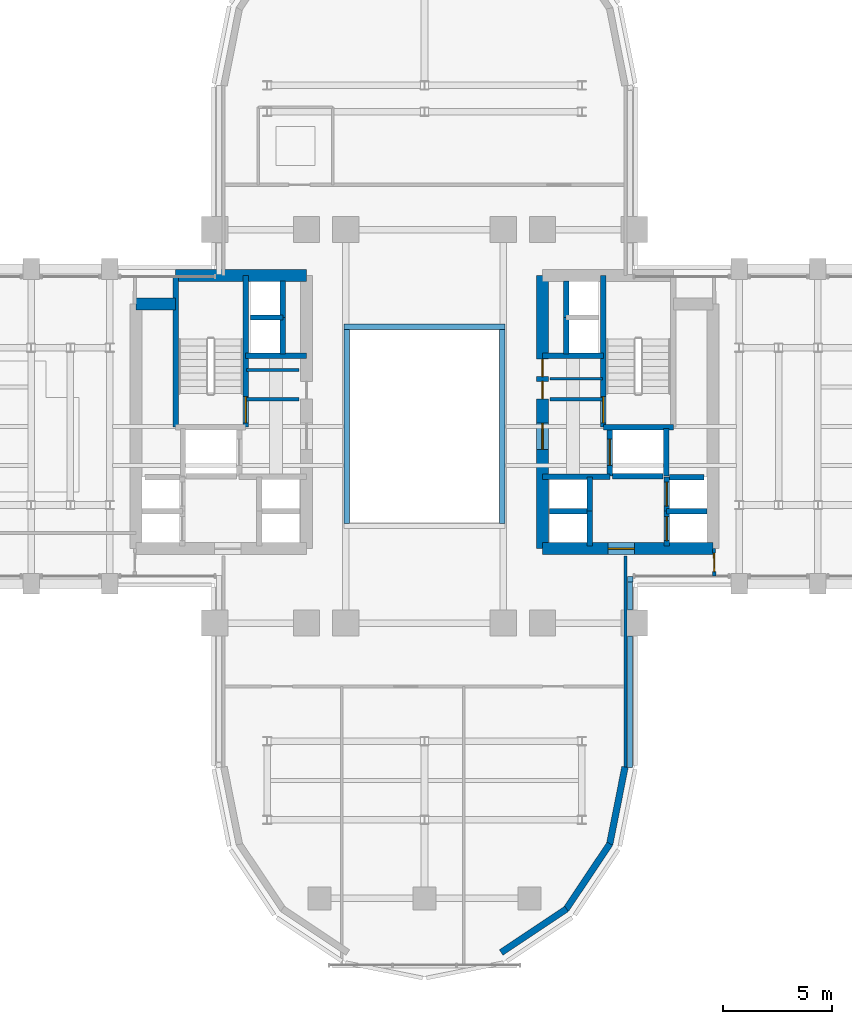
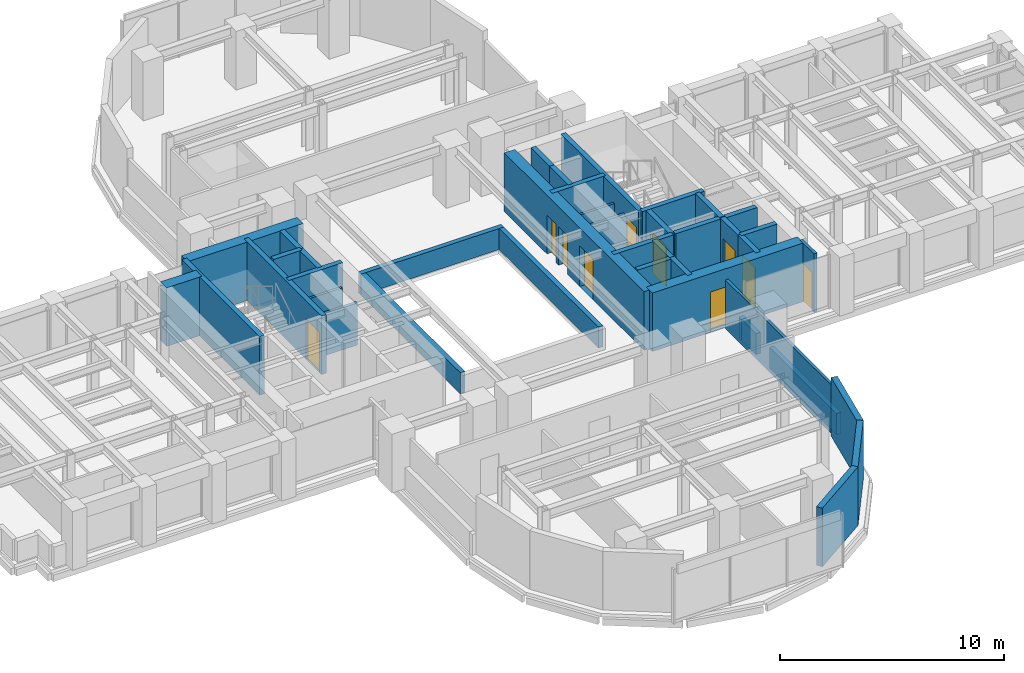
# One storey, part 11 of 16: 41 walls, 10 doors, 10 openings.
"""IFC4 building model written with IfcOpenShell, lengths in metres."""

from ifc_helpers import new_model, si_unit, direction, frame, frame_2d, origin, place, context, subcontext, project, spatial, rectangle, extrude, source, transform, mapped, material, layer, layer_set, type_object, element, fill, save


model = new_model("IFC4")

# Units and contexts
model_context = context("Model", 3, precision=1e-05, world=origin(), true_north=direction((0.0, 1.0)))
body_context = subcontext(model_context, "Body", "Model", "MODEL_VIEW")
ifc_project = project(units=[si_unit("LENGTHUNIT", "METRE"), si_unit("AREAUNIT", "SQUARE_METRE"), si_unit("VOLUMEUNIT", "CUBIC_METRE"), si_unit("PLANEANGLEUNIT", "RADIAN"), si_unit("MASSUNIT", "GRAM", prefix="KILO")], contexts=[model_context])

# Site, building, storey
site_placement = place(None, origin())
site = spatial("IfcSite", under=ifc_project, at=site_placement, CompositionType="ELEMENT")
building_placement = place(site_placement, origin())
building = spatial("IfcBuilding", under=site, at=building_placement, Name="Keilestroom Media Tower", CompositionType="ELEMENT")
storey_placement = place(building_placement, frame((0.0, 0.0, 51.0)))
storey = spatial("IfcBuildingStorey", under=building, at=storey_placement, Name="L12", CompositionType="ELEMENT", Elevation=51.0)

# Walls
ifc_material_1 = material(Name="Precast concrete C40/50", Category="concrete")
ifc_layer_1 = layer(ifc_material_1, 0.300048828125)
ifc_layer_set_1 = layer_set([ifc_layer_1], Name="Precast concrete C40/50")
wall_type_1 = type_object("IfcWallType", Name="Exterior-Masonry-Spandrel-Wall-300", PredefinedType="SOLIDWALL", material=ifc_layer_set_1)
wall_1_placement = place(storey_placement, frame((3.510009765625, -24.073486328125, 0.0), z_axis=(0.0, 0.0, 1.0), x_axis=(0.8314749531, 0.555562239868, 0.0)))
element("IfcWall", 1, at=wall_1_placement, inside=storey, type_object=wall_type_1, Name="L12 Lobe Facet Precast Frame Wall 10", PredefinedType="SOLIDWALL", context=body_context, shape_type="SweptSolid", body=[
    extrude(rectangle(XDim=3.59326171875, YDim=0.300048828125, at=frame_2d((1.796630859375, 0.0))), origin(), (0.0, 0.0, 1.0), 3.199951171875),
])
for number, where, z_axis, x_axis, name in (
    (2, (6.47705078125, -22.097900390625, 0.0), (0.0, 0.0, 1.0), (0.555574187116, 0.831466970246, 0.0), "L12 Lobe Facet Precast Frame Wall 11"),
    (3, (8.470703125, -19.12451171875, 0.0), (0.0, 0.0, 1.0), (0.195114232679, 0.980780523974, 0.0), "L12 Lobe Facet Precast Frame Wall 12"),
):
    element("IfcWall", number, at=place(storey_placement, frame(where, z_axis=z_axis, x_axis=x_axis)), inside=storey, type_object=wall_type_1, Name=name, PredefinedType="SOLIDWALL", context=body_context, shape_type="SweptSolid", body=[
        extrude(rectangle(XDim=3.608642578125, YDim=0.300048828125, at=frame_2d((1.80419921875, 0.0))), origin(), (0.0, 0.0, 1.0), 3.199951171875),
    ])
ifc_material_2 = material(Name="Gypsum Plasterboard & Steel Stud", Category="steel")
ifc_layer_2 = layer(ifc_material_2, 0.1201171875)
ifc_layer_set_2 = layer_set([ifc_layer_2], Name="Gypsum Plasterboard & Steel Stud")
wall_type_2 = type_object("IfcWallType", Name="Interior-Partition-Wall-120", PredefinedType="PARTITIONING", material=ifc_layer_set_2)
for number, where, z_axis, x_axis, name in (
    (4, (-8.139892578125, 2.580078125, 0.0), (0.0, 0.0, 1.0), (1.0, 0.0, 0.0), "L12 Interior Wall WP-L12-CNW-N"),
    (5, (5.75, 2.179931640625, 0.0), (0.0, 0.0, 1.0), (1.0, 0.0, 0.0), "L12 Interior Wall WP-L12-CNE-N"),
):
    element("IfcWall", number, at=place(storey_placement, frame(where, z_axis=z_axis, x_axis=x_axis)), inside=storey, type_object=wall_type_2, Name=name, PredefinedType="PARTITIONING", context=body_context, shape_type="SweptSolid", body=[
        extrude(rectangle(XDim=2.389892578125, YDim=0.1201171875, at=frame_2d((1.19482421875, 0.0))), origin(), (0.0, 0.0, 1.0), 2.300048828125),
    ])
ifc_layer_3 = layer(ifc_material_2, 0.14990234375)
ifc_layer_set_3 = layer_set([ifc_layer_3], Name="Gypsum Plasterboard & Steel Stud")
wall_type_3 = type_object("IfcWallType", Name="Interior-Partition-Wall-150", PredefinedType="PARTITIONING", material=ifc_layer_set_3)
for number, where, z_axis, x_axis, name in (
    (6, (-8.139892578125, 1.239990234375, 0.0), (0.0, 0.0, 1.0), (1.0, 0.0, 0.0), "L12 Interior Wall WP-L12-FFW-TOP"),
    (7, (5.75, 1.239990234375, 0.0), (0.0, 0.0, 1.0), (1.0, 0.0, 0.0), "L12 Interior Wall WP-L12-FFE-TOP"),
):
    element("IfcWall", number, at=place(storey_placement, frame(where, z_axis=z_axis, x_axis=x_axis)), inside=storey, type_object=wall_type_3, Name=name, PredefinedType="PARTITIONING", context=body_context, shape_type="SweptSolid", body=[
        extrude(rectangle(XDim=2.389892578125, YDim=0.14990234375, at=frame_2d((1.19482421875, 0.0))), origin(), (0.0, 0.0, 1.0), 2.300048828125),
    ])
wall_2_placement = place(storey_placement, frame((9.199951171875, -15.679931640625, 0.0), z_axis=(0.0, 0.0, 1.0), x_axis=(0.0, 1.0, 0.0)))
element("IfcWall", 8, at=wall_2_placement, inside=storey, type_object=wall_type_3, Name="L12 Interior Wall WP-L12-SL-CHKE", PredefinedType="PARTITIONING", context=body_context, shape_type="SweptSolid", body=[
    extrude(rectangle(XDim=9.739990234375, YDim=0.14990234375, at=frame_2d((4.8701171875, 0.0))), origin(), (0.0, 0.0, 1.0), 2.64990234375),
])

# Wall, opening, door
wall_3_placement = place(storey_placement, frame((13.260009765625, -6.85009765625, 0.0), z_axis=(0.0, 0.0, 1.0), x_axis=(-0.016013571389, 0.999871774545, 0.0)))
wall_3 = element("IfcWall", 9, at=wall_3_placement, inside=storey, type_object=wall_type_3, Name="L12 Interior Wall WP-L12-EA-ENTS", PredefinedType="PARTITIONING", context=body_context, shape_type="SweptSolid", body=[
    extrude(rectangle(XDim=1.250244140625, YDim=0.14990234375, at=frame_2d((0.625, 0.0))), origin(), (0.0, 0.0, 1.0), 3.199951171875),
])
opening_1_placement = place(wall_3_placement, frame((0.199951171875, 0.0, 0.0)))
opening_1 = element("IfcOpeningElement", 10, at=opening_1_placement, cuts=wall_3, Name="Opening DI-05", PredefinedType="OPENING", context=body_context, shape_type="SweptSolid", body=[
    extrude(rectangle(XDim=0.85009765625, YDim=2.10009765625, at=frame_2d((0.425048828125, 1.050048828125))), frame((0.0, 0.0849609375, 0.0), z_axis=(0.0, -1.0, 0.0), x_axis=(1.0, 0.0, 0.0)), (0.0, 0.0, 1.0), 0.169921875),
])
ifc_material_3 = material(Name="Moisture-Resistant Oak Leaf", Category="wood")
door_type_1 = type_object("IfcDoorType", Name="Interior-En-Suite-And-Cupboard-Door-DI-05", OperationType="NOTDEFINED", PredefinedType="DOOR", material=ifc_material_3)
shared_shape_1 = source(origin(), body_context, "Body", "SweptSolid", [
    extrude(rectangle(XDim=0.85009765625, YDim=2.10009765625, at=frame_2d((0.425048828125, 1.050048828125))), frame((0.0, 0.02490234375, 0.0), z_axis=(0.0, -1.0, 0.0), x_axis=(1.0, 0.0, 0.0)), (0.0, 0.0, 1.0), 0.050048828125),
])
door_1_placement = place(opening_1_placement, origin())
door_1 = element("IfcDoor", 11, at=door_1_placement, inside=storey, type_object=door_type_1, Name="L12 Interior Door DI-L12-DEA-W", OperationType="SINGLE_SWING_LEFT", OverallHeight=2.10009765625, OverallWidth=0.85009765625, PredefinedType="DOOR", context=body_context, shape_type="MappedRepresentation", body=[
    mapped(shared_shape_1, transform((0.0, 0.0, 0.0), x_axis=(1.0, 0.0, 0.0), y_axis=(0.0, 1.0, 0.0), z_axis=(0.0, 0.0, 1.0), scale=1.0)),
])
fill(opening_1, door_1)

# Walls
ifc_material_4 = material(Name="Concrete C70/85", Category="concrete")
ifc_layer_4 = layer(ifc_material_4, 0.550048828125)
ifc_layer_set_4 = layer_set([ifc_layer_4], Name="Concrete C70/85")
wall_type_4 = type_object("IfcWallType", Name="Reinforced-Concrete-Core-Shear-Wall-550", PredefinedType="SHEAR", material=ifc_layer_set_4)
wall_4_placement = place(storey_placement, frame((-11.381103515625, 6.89990234375, 0.0), z_axis=(0.0, 0.0, 1.0), x_axis=(1.0, 0.0, 0.0)))
element("IfcWall", 12, at=wall_4_placement, inside=storey, type_object=wall_type_4, Name="L12 Core Shear Wall WL-L12-CORE-W-N", PredefinedType="SHEAR", context=body_context, shape_type="SweptSolid", body=[
    extrude(rectangle(XDim=5.981201171875, YDim=0.550048828125, at=frame_2d((2.99072265625, 0.0))), origin(), (0.0, 0.0, 1.0), 3.199951171875),
])
wall_5_placement = place(storey_placement, frame((-13.199951171875, 5.60009765625, 0.0), z_axis=(0.0, 0.0, 1.0), x_axis=(1.0, 0.0, 0.0)))
element("IfcWall", 13, at=wall_5_placement, inside=storey, type_object=wall_type_4, Name="L12 Core Shear Wall WL-L12-CNW-N", PredefinedType="SHEAR", context=body_context, shape_type="SweptSolid", body=[
    extrude(rectangle(XDim=1.81884765625, YDim=0.550048828125, at=frame_2d((0.909423828125, 0.0))), origin(), (0.0, 0.0, 1.0), 3.199951171875),
])

# Wall, openings, doors
wall_6_placement = place(storey_placement, frame((5.39990234375, -5.60009765625, 0.0), z_axis=(0.0, 0.0, 1.0), x_axis=(0.0, 1.0, 0.0)))
wall_6 = element("IfcWall", 14, at=wall_6_placement, inside=storey, type_object=wall_type_4, Name="L12 Core Shear Wall WL-L12-CORE-E-IN", PredefinedType="SHEAR", context=body_context, shape_type="SweptSolid", body=[
    extrude(rectangle(XDim=12.5, YDim=0.550048828125, at=frame_2d((6.25, 0.0))), origin(), (0.0, 0.0, 1.0), 3.199951171875),
])
opening_2_placement = place(wall_6_placement, frame((4.550048828125, 0.0, 0.0)))
opening_2 = element("IfcOpeningElement", 15, at=opening_2_placement, cuts=wall_6, Name="Opening DI-02", PredefinedType="OPENING", context=body_context, shape_type="SweptSolid", body=[
    extrude(rectangle(XDim=1.199951171875, YDim=2.199951171875, at=frame_2d((0.60009765625, 1.10009765625))), frame((0.0, 0.28515625, 0.0), z_axis=(0.0, -1.0, 0.0), x_axis=(1.0, 0.0, 0.0)), (0.0, 0.0, 1.0), 0.570068359375),
])
opening_3_placement = place(wall_6_placement, frame((6.860107421875, 0.0, 0.0)))
opening_3 = element("IfcOpeningElement", 16, at=opening_3_placement, cuts=wall_6, Name="Opening DI-06", PredefinedType="OPENING", context=body_context, shape_type="SweptSolid", body=[
    extrude(rectangle(XDim=0.800048828125, YDim=2.10009765625, at=frame_2d((0.39990234375, 1.050048828125))), frame((0.0, 0.28515625, 0.0), z_axis=(0.0, -1.0, 0.0), x_axis=(1.0, 0.0, 0.0)), (0.0, 0.0, 1.0), 0.570068359375),
])
opening_4_placement = place(wall_6_placement, frame((7.8798828125, 0.0, 0.0)))
opening_4 = element("IfcOpeningElement", 17, at=opening_4_placement, cuts=wall_6, Name="Opening DI-06", PredefinedType="OPENING", context=body_context, shape_type="SweptSolid", body=[
    extrude(rectangle(XDim=0.800048828125, YDim=2.10009765625, at=frame_2d((0.39990234375, 1.050048828125))), frame((0.0, 0.28515625, 0.0), z_axis=(0.0, -1.0, 0.0), x_axis=(1.0, 0.0, 0.0)), (0.0, 0.0, 1.0), 0.570068359375),
])
ifc_material_5 = material(Name="Powder-Coated Steel Fire Leaf", Category="steel")
door_type_2 = type_object("IfcDoorType", Name="Interior-Compartment-Fire-Door-DI-02", OperationType="NOTDEFINED", PredefinedType="DOOR", material=ifc_material_5)
shared_shape_2 = source(origin(), body_context, "Body", "SweptSolid", [
    extrude(rectangle(XDim=1.199951171875, YDim=2.199951171875, at=frame_2d((0.60009765625, 1.10009765625))), frame((0.0, 0.02490234375, 0.0), z_axis=(0.0, -1.0, 0.0), x_axis=(1.0, 0.0, 0.0)), (0.0, 0.0, 1.0), 0.050048828125),
])
door_2_placement = place(opening_2_placement, origin())
door_2 = element("IfcDoor", 18, at=door_2_placement, inside=storey, type_object=door_type_2, Name="L12 E Firefighting Lobby Door", OperationType="SINGLE_SWING_LEFT", OverallHeight=2.199951171875, OverallWidth=1.199951171875, PredefinedType="DOOR", context=body_context, shape_type="MappedRepresentation", body=[
    mapped(shared_shape_2, transform((0.0, 0.0, 0.0), x_axis=(1.0, 0.0, 0.0), y_axis=(0.0, 1.0, 0.0), z_axis=(0.0, 0.0, 1.0), scale=1.0)),
])
fill(opening_2, door_2)
ifc_material_6 = material(Name="Powder-Coated Steel Service Leaf", Category="steel")
door_type_3 = type_object("IfcDoorType", Name="Interior-Riser-Access-Door-DI-06", OperationType="NOTDEFINED", PredefinedType="DOOR", material=ifc_material_6)
shared_shape_3 = source(origin(), body_context, "Body", "SweptSolid", [
    extrude(rectangle(XDim=0.800048828125, YDim=2.10009765625, at=frame_2d((0.39990234375, 1.050048828125))), frame((0.0, 0.02490234375, 0.0), z_axis=(0.0, -1.0, 0.0), x_axis=(1.0, 0.0, 0.0)), (0.0, 0.0, 1.0), 0.050048828125),
])
door_3_placement = place(opening_3_placement, origin())
door_3 = element("IfcDoor", 19, at=door_3_placement, inside=storey, type_object=door_type_3, Name="L12 East Core Telecom Door", OperationType="SINGLE_SWING_RIGHT", OverallHeight=2.10009765625, OverallWidth=0.800048828125, PredefinedType="DOOR", context=body_context, shape_type="MappedRepresentation", body=[
    mapped(shared_shape_3, transform((0.0, 0.0, 0.0), x_axis=(1.0, 0.0, 0.0), y_axis=(0.0, 1.0, 0.0), z_axis=(0.0, 0.0, 1.0), scale=1.0)),
])
fill(opening_3, door_3)
door_4_placement = place(opening_4_placement, origin())
door_4 = element("IfcDoor", 20, at=door_4_placement, inside=storey, type_object=door_type_3, Name="L12 East Core Closet Door", OperationType="SINGLE_SWING_RIGHT", OverallHeight=2.10009765625, OverallWidth=0.800048828125, PredefinedType="DOOR", context=body_context, shape_type="MappedRepresentation", body=[
    mapped(shared_shape_3, transform((0.0, 0.0, 0.0), x_axis=(1.0, 0.0, 0.0), y_axis=(0.0, 1.0, 0.0), z_axis=(0.0, 0.0, 1.0), scale=1.0)),
])
fill(opening_4, door_4)

# Wall, opening, door
wall_7_placement = place(storey_placement, frame((5.39990234375, -5.60009765625, 0.0), z_axis=(0.0, 0.0, 1.0), x_axis=(1.0, 0.0, 0.0)))
wall_7 = element("IfcWall", 21, at=wall_7_placement, inside=storey, type_object=wall_type_4, Name="L12 Core Shear Wall WL-L12-CORE-E-S", PredefinedType="SHEAR", context=body_context, shape_type="SweptSolid", body=[
    extrude(rectangle(XDim=7.800048828125, YDim=0.550048828125, at=frame_2d((3.89990234375, 0.0))), origin(), (0.0, 0.0, 1.0), 3.199951171875),
])
opening_5_placement = place(wall_7_placement, frame((3.0, 0.0, 0.0)))
opening_5 = element("IfcOpeningElement", 22, at=opening_5_placement, cuts=wall_7, Name="Opening DI-02", PredefinedType="OPENING", context=body_context, shape_type="SweptSolid", body=[
    extrude(rectangle(XDim=1.199951171875, YDim=2.199951171875, at=frame_2d((0.60009765625, 1.10009765625))), frame((0.0, 0.28515625, 0.0), z_axis=(0.0, -1.0, 0.0), x_axis=(1.0, 0.0, 0.0)), (0.0, 0.0, 1.0), 0.570068359375),
])
door_5_placement = place(opening_5_placement, origin())
door_5 = element("IfcDoor", 23, at=door_5_placement, inside=storey, type_object=door_type_2, Name="L12 E Passenger Lift Lobby Door", OperationType="SINGLE_SWING_RIGHT", OverallHeight=2.199951171875, OverallWidth=1.199951171875, PredefinedType="DOOR", context=body_context, shape_type="MappedRepresentation", body=[
    mapped(shared_shape_2, transform((0.0, 0.0, 0.0), x_axis=(1.0, 0.0, 0.0), y_axis=(0.0, 1.0, 0.0), z_axis=(0.0, 0.0, 1.0), scale=1.0)),
])
fill(opening_5, door_5)

# Wall
ifc_material_7 = material(Name="Concrete C50/60", Category="concrete")
ifc_layer_5 = layer(ifc_material_7, 0.25)
ifc_layer_set_5 = layer_set([ifc_layer_5], Name="Concrete C50/60")
wall_type_5 = type_object("IfcWallType", Name="Reinforced-Concrete-Shaft-Wall-250", PredefinedType="SOLIDWALL", material=ifc_layer_set_5)
wall_8_placement = place(storey_placement, frame((-8.179931640625, 3.219970703125, 0.0), z_axis=(0.0, 0.0, 1.0), x_axis=(1.0, 0.0, 0.0)))
element("IfcWall", 24, at=wall_8_placement, inside=storey, type_object=wall_type_5, Name="L12 Core Shear Wall WL-L12-CORE-W-FFN", PredefinedType="SOLIDWALL", context=body_context, shape_type="SweptSolid", body=[
    extrude(rectangle(XDim=2.780029296875, YDim=0.25, at=frame_2d((1.39013671875, 0.0))), origin(), (0.0, 0.0, 1.0), 3.199951171875),
])

# Wall, opening, door
wall_9_placement = place(storey_placement, frame((-8.178955078125, -0.041015625, 0.0), z_axis=(0.0, 0.0, 1.0), x_axis=(0.0, 1.0, 0.0)))
wall_9 = element("IfcWall", 25, at=wall_9_placement, inside=storey, type_object=wall_type_5, Name="L12 Core Shear Wall WL-L12-STW-W-NEAR", PredefinedType="SOLIDWALL", context=body_context, shape_type="SweptSolid", body=[
    extrude(rectangle(XDim=6.94091796875, YDim=0.25, at=frame_2d((3.470458984375, 0.0))), origin(), (0.0, 0.0, 1.0), 3.199951171875),
])
opening_6_placement = place(wall_9_placement, frame((0.199951171875, 0.0, 0.0)))
opening_6 = element("IfcOpeningElement", 26, at=opening_6_placement, cuts=wall_9, Name="Opening DI-01S", PredefinedType="OPENING", context=body_context, shape_type="SweptSolid", body=[
    extrude(rectangle(XDim=1.199951171875, YDim=2.199951171875, at=frame_2d((0.60009765625, 1.10009765625))), frame((0.0, 0.135009765625, 0.0), z_axis=(0.0, -1.0, 0.0), x_axis=(1.0, 0.0, 0.0)), (0.0, 0.0, 1.0), 0.27001953125),
])
door_type_4 = type_object("IfcDoorType", Name="Interior-Stair-And-Core-Fire-Door-DI-01", OperationType="NOTDEFINED", PredefinedType="DOOR", material=ifc_material_5)
door_6_placement = place(opening_6_placement, origin())
door_6 = element("IfcDoor", 27, at=door_6_placement, inside=storey, type_object=door_type_4, Name="L12 Escape Stair ST-1 Fire Door", OperationType="SINGLE_SWING_LEFT", OverallHeight=2.199951171875, OverallWidth=1.199951171875, PredefinedType="DOOR", context=body_context, shape_type="MappedRepresentation", body=[
    mapped(shared_shape_2, transform((0.0, 0.0, 0.0), x_axis=(1.0, 0.0, 0.0), y_axis=(0.0, 1.0, 0.0), z_axis=(0.0, 0.0, 1.0), scale=1.0)),
])
fill(opening_6, door_6)

# Walls
wall_10_placement = place(storey_placement, frame((-11.381103515625, -0.041015625, 0.0), z_axis=(0.0, 0.0, 1.0), x_axis=(0.0, 1.0, 0.0)))
element("IfcWall", 28, at=wall_10_placement, inside=storey, type_object=wall_type_5, Name="L12 Core Shear Wall WL-L12-STW-W-FAR", PredefinedType="SOLIDWALL", context=body_context, shape_type="SweptSolid", body=[
    extrude(rectangle(XDim=6.94091796875, YDim=0.25, at=frame_2d((3.470458984375, 0.0))), origin(), (0.0, 0.0, 1.0), 3.199951171875),
])
wall_11_placement = place(storey_placement, frame((5.39990234375, 3.219970703125, 0.0), z_axis=(0.0, 0.0, 1.0), x_axis=(1.0, 0.0, 0.0)))
element("IfcWall", 29, at=wall_11_placement, inside=storey, type_object=wall_type_5, Name="L12 Core Shear Wall WL-L12-CORE-E-FFN", PredefinedType="SOLIDWALL", context=body_context, shape_type="SweptSolid", body=[
    extrude(rectangle(XDim=2.780029296875, YDim=0.25, at=frame_2d((1.39013671875, 0.0))), origin(), (0.0, 0.0, 1.0), 3.199951171875),
])
wall_12_placement = place(storey_placement, frame((5.39990234375, -2.300048828125, 0.0), z_axis=(0.0, 0.0, 1.0), x_axis=(1.0, 0.0, 0.0)))
element("IfcWall", 30, at=wall_12_placement, inside=storey, type_object=wall_type_5, Name="L12 Core Shear Wall WL-L12-CORE-E-FFS", PredefinedType="SOLIDWALL", context=body_context, shape_type="SweptSolid", body=[
    extrude(rectangle(XDim=3.080078125, YDim=0.25, at=frame_2d((1.5400390625, 0.0))), origin(), (0.0, 0.0, 1.0), 3.199951171875),
])

# Wall, opening, door
wall_13_placement = place(storey_placement, frame((8.178955078125, -0.041015625, 0.0), z_axis=(0.0, 0.0, 1.0), x_axis=(0.0, 1.0, 0.0)))
wall_13 = element("IfcWall", 31, at=wall_13_placement, inside=storey, type_object=wall_type_5, Name="L12 Core Shear Wall WL-L12-STW-E-NEAR", PredefinedType="SOLIDWALL", context=body_context, shape_type="SweptSolid", body=[
    extrude(rectangle(XDim=6.94091796875, YDim=0.25, at=frame_2d((3.470458984375, 0.0))), origin(), (0.0, 0.0, 1.0), 3.199951171875),
])
opening_7_placement = place(wall_13_placement, frame((0.199951171875, 0.0, 0.0)))
opening_7 = element("IfcOpeningElement", 32, at=opening_7_placement, cuts=wall_13, Name="Opening DI-01S", PredefinedType="OPENING", context=body_context, shape_type="SweptSolid", body=[
    extrude(rectangle(XDim=1.199951171875, YDim=2.199951171875, at=frame_2d((0.60009765625, 1.10009765625))), frame((0.0, 0.135009765625, 0.0), z_axis=(0.0, -1.0, 0.0), x_axis=(1.0, 0.0, 0.0)), (0.0, 0.0, 1.0), 0.27001953125),
])
door_7_placement = place(opening_7_placement, origin())
door_7 = element("IfcDoor", 33, at=door_7_placement, inside=storey, type_object=door_type_4, Name="L12 Escape Stair ST-2 Fire Door", OperationType="SINGLE_SWING_RIGHT", OverallHeight=2.199951171875, OverallWidth=1.199951171875, PredefinedType="DOOR", context=body_context, shape_type="MappedRepresentation", body=[
    mapped(shared_shape_2, transform((0.0, 0.0, 0.0), x_axis=(1.0, 0.0, 0.0), y_axis=(0.0, 1.0, 0.0), z_axis=(0.0, 0.0, 1.0), scale=1.0)),
])
fill(opening_7, door_7)

# Wall
wall_14_placement = place(storey_placement, frame((8.178955078125, -0.041015625, 0.0), z_axis=(0.0, 0.0, 1.0), x_axis=(1.0, 0.0, 0.0)))
element("IfcWall", 34, at=wall_14_placement, inside=storey, type_object=wall_type_5, Name="L12 Core Shear Wall WL-L12-STW-E-S", PredefinedType="SOLIDWALL", context=body_context, shape_type="SweptSolid", body=[
    extrude(rectangle(XDim=3.2021484375, YDim=0.25, at=frame_2d((1.60107421875, 0.0))), origin(), (0.0, 0.0, 1.0), 3.199951171875),
])

# Wall, opening, door
wall_15_placement = place(storey_placement, frame((8.47998046875, -2.280029296875, 0.0), z_axis=(0.0, 0.0, 1.0), x_axis=(0.0, 1.0, 0.0)))
wall_15 = element("IfcWall", 35, at=wall_15_placement, inside=storey, type_object=wall_type_5, Name="L12 Core Shear Wall WL-L12-LSH-FFL-2-W", PredefinedType="SOLIDWALL", context=body_context, shape_type="SweptSolid", body=[
    extrude(rectangle(XDim=2.179931640625, YDim=0.25, at=frame_2d((1.08984375, 0.0))), origin(), (0.0, 0.0, 1.0), 3.199951171875),
])
opening_8_placement = place(wall_15_placement, frame((0.489990234375, 0.0, 0.0)))
opening_8 = element("IfcOpeningElement", 36, at=opening_8_placement, cuts=wall_15, Name="Opening LD-02", PredefinedType="OPENING", context=body_context, shape_type="SweptSolid", body=[
    extrude(rectangle(XDim=1.199951171875, YDim=2.199951171875, at=frame_2d((0.60009765625, 1.10009765625))), frame((0.0, 0.135009765625, 0.0), z_axis=(0.0, -1.0, 0.0), x_axis=(1.0, 0.0, 0.0)), (0.0, 0.0, 1.0), 0.27001953125),
])
ifc_material_8 = material(Name="Brushed Stainless Steel Sliding Leaf", Category="steel")
door_type_5 = type_object("IfcDoorType", Name="Lift-Landing-Sliding-Door-LD-02", OperationType="SLIDING_TO_RIGHT", PredefinedType="DOOR", material=ifc_material_8)
door_8_placement = place(opening_8_placement, origin())
door_8 = element("IfcDoor", 37, at=door_8_placement, inside=storey, type_object=door_type_5, Name="L12 Lift FFL-2 Landing Sliding Door", OperationType="SLIDING_TO_RIGHT", OverallHeight=2.199951171875, OverallWidth=1.199951171875, PredefinedType="DOOR", context=body_context, shape_type="MappedRepresentation", body=[
    mapped(shared_shape_2, transform((0.0, 0.0, 0.0), x_axis=(1.0, 0.0, 0.0), y_axis=(0.0, 1.0, 0.0), z_axis=(0.0, 0.0, 1.0), scale=1.0)),
])
fill(opening_8, door_8)

# Walls
wall_16_placement = place(storey_placement, frame((11.050048828125, -2.280029296875, 0.0), z_axis=(0.0, 0.0, 1.0), x_axis=(0.0, 1.0, 0.0)))
element("IfcWall", 38, at=wall_16_placement, inside=storey, type_object=wall_type_5, Name="L12 Core Shear Wall WL-L12-LSH-FFL-2-E", PredefinedType="SOLIDWALL", context=body_context, shape_type="SweptSolid", body=[
    extrude(rectangle(XDim=2.179931640625, YDim=0.25, at=frame_2d((1.08984375, 0.0))), origin(), (0.0, 0.0, 1.0), 3.199951171875),
])
wall_17_placement = place(storey_placement, frame((8.60888671875, -2.280029296875, 0.0), z_axis=(0.0, 0.0, 1.0), x_axis=(1.0, 0.0, 0.0)))
element("IfcWall", 39, at=wall_17_placement, inside=storey, type_object=wall_type_5, Name="L12 Core Shear Wall WL-L12-LSH-FFL-2-S", PredefinedType="SOLIDWALL", context=body_context, shape_type="SweptSolid", body=[
    extrude(rectangle(XDim=2.31201171875, YDim=0.25, at=frame_2d((1.156005859375, 0.0))), origin(), (0.0, 0.0, 1.0), 3.199951171875),
])

# Wall, opening, door
wall_18_placement = place(storey_placement, frame((11.080078125, -5.47998046875, 0.0), z_axis=(0.0, 0.0, 1.0), x_axis=(0.0, 1.0, 0.0)))
wall_18 = element("IfcWall", 40, at=wall_18_placement, inside=storey, type_object=wall_type_5, Name="L12 Core Shear Wall WL-L12-LSH-PL-L3-W", PredefinedType="SOLIDWALL", context=body_context, shape_type="SweptSolid", body=[
    extrude(rectangle(XDim=1.60009765625, YDim=0.25, at=frame_2d((0.800048828125, 0.0))), origin(), (0.0, 0.0, 1.0), 3.199951171875),
])
opening_9_placement = place(wall_18_placement, frame((0.25, 0.0, 0.0)))
opening_9 = element("IfcOpeningElement", 41, at=opening_9_placement, cuts=wall_18, Name="Opening LD-01", PredefinedType="OPENING", context=body_context, shape_type="SweptSolid", body=[
    extrude(rectangle(XDim=1.10009765625, YDim=2.199951171875, at=frame_2d((0.550048828125, 1.10009765625))), frame((0.0, 0.135009765625, 0.0), z_axis=(0.0, -1.0, 0.0), x_axis=(1.0, 0.0, 0.0)), (0.0, 0.0, 1.0), 0.27001953125),
])
door_type_6 = type_object("IfcDoorType", Name="Lift-Landing-Sliding-Door-LD-01", OperationType="SLIDING_TO_LEFT", PredefinedType="DOOR", material=ifc_material_8)
shared_shape_4 = source(origin(), body_context, "Body", "SweptSolid", [
    extrude(rectangle(XDim=1.10009765625, YDim=2.199951171875, at=frame_2d((0.550048828125, 1.10009765625))), frame((0.0, 0.02490234375, 0.0), z_axis=(0.0, -1.0, 0.0), x_axis=(1.0, 0.0, 0.0)), (0.0, 0.0, 1.0), 0.050048828125),
])
door_9_placement = place(opening_9_placement, origin())
door_9 = element("IfcDoor", 42, at=door_9_placement, inside=storey, type_object=door_type_6, Name="L12 Lift PL-L3 Landing Sliding Door", OperationType="SLIDING_TO_LEFT", OverallHeight=2.199951171875, OverallWidth=1.10009765625, PredefinedType="DOOR", context=body_context, shape_type="MappedRepresentation", body=[
    mapped(shared_shape_4, transform((0.0, 0.0, 0.0), x_axis=(1.0, 0.0, 0.0), y_axis=(0.0, 1.0, 0.0), z_axis=(0.0, 0.0, 1.0), scale=1.0)),
])
fill(opening_9, door_9)

# Wall
wall_19_placement = place(storey_placement, frame((11.080078125, -3.8798828125, 0.0), z_axis=(0.0, 0.0, 1.0), x_axis=(1.0, 0.0, 0.0)))
element("IfcWall", 43, at=wall_19_placement, inside=storey, type_object=wall_type_5, Name="L12 Core Shear Wall WL-L12-LSH-PL-L3-N", PredefinedType="SOLIDWALL", context=body_context, shape_type="SweptSolid", body=[
    extrude(rectangle(XDim=1.83984375, YDim=0.25, at=frame_2d((0.919921875, 0.0))), origin(), (0.0, 0.0, 1.0), 3.199951171875),
])

# Wall, opening, door
wall_20_placement = place(storey_placement, frame((11.080078125, -3.8798828125, 0.0), z_axis=(0.0, 0.0, 1.0), x_axis=(0.0, 1.0, 0.0)))
wall_20 = element("IfcWall", 44, at=wall_20_placement, inside=storey, type_object=wall_type_5, Name="L12 Core Shear Wall WL-L12-LSH-PL-L4-W", PredefinedType="SOLIDWALL", context=body_context, shape_type="SweptSolid", body=[
    extrude(rectangle(XDim=1.559814453125, YDim=0.25, at=frame_2d((0.77978515625, 0.0))), origin(), (0.0, 0.0, 1.0), 3.199951171875),
])
opening_10_placement = place(wall_20_placement, frame((0.22998046875, 0.0, 0.0)))
opening_10 = element("IfcOpeningElement", 45, at=opening_10_placement, cuts=wall_20, Name="Opening LD-01", PredefinedType="OPENING", context=body_context, shape_type="SweptSolid", body=[
    extrude(rectangle(XDim=1.10009765625, YDim=2.199951171875, at=frame_2d((0.550048828125, 1.10009765625))), frame((0.0, 0.135009765625, 0.0), z_axis=(0.0, -1.0, 0.0), x_axis=(1.0, 0.0, 0.0)), (0.0, 0.0, 1.0), 0.27001953125),
])
door_10_placement = place(opening_10_placement, origin())
door_10 = element("IfcDoor", 46, at=door_10_placement, inside=storey, type_object=door_type_6, Name="L12 Lift PL-L4 Landing Sliding Door", OperationType="SLIDING_TO_LEFT", OverallHeight=2.199951171875, OverallWidth=1.10009765625, PredefinedType="DOOR", context=body_context, shape_type="MappedRepresentation", body=[
    mapped(shared_shape_4, transform((0.0, 0.0, 0.0), x_axis=(1.0, 0.0, 0.0), y_axis=(0.0, 1.0, 0.0), z_axis=(0.0, 0.0, 1.0), scale=1.0)),
])
fill(opening_10, door_10)

# Walls
wall_21_placement = place(storey_placement, frame((11.208984375, -2.320068359375, 0.0), z_axis=(0.0, 0.0, 1.0), x_axis=(1.0, 0.0, 0.0)))
element("IfcWall", 47, at=wall_21_placement, inside=storey, type_object=wall_type_5, Name="L12 Core Shear Wall WL-L12-LSH-PL-L4-N", PredefinedType="SOLIDWALL", context=body_context, shape_type="SweptSolid", body=[
    extrude(rectangle(XDim=1.58203125, YDim=0.25, at=frame_2d((0.791015625, 0.0))), origin(), (0.0, 0.0, 1.0), 3.199951171875),
])
wall_22_placement = place(storey_placement, frame((7.56005859375, -5.47998046875, 0.0), z_axis=(0.0, 0.0, 1.0), x_axis=(0.0, 1.0, 0.0)))
element("IfcWall", 48, at=wall_22_placement, inside=storey, type_object=wall_type_5, Name="L12 Core Shear Wall WL-L12-LSH-PL-M3-E", PredefinedType="SOLIDWALL", context=body_context, shape_type="SweptSolid", body=[
    extrude(rectangle(XDim=1.60009765625, YDim=0.25, at=frame_2d((0.800048828125, 0.0))), origin(), (0.0, 0.0, 1.0), 3.199951171875),
])
wall_23_placement = place(storey_placement, frame((5.719970703125, -3.8798828125, 0.0), z_axis=(0.0, 0.0, 1.0), x_axis=(1.0, 0.0, 0.0)))
element("IfcWall", 49, at=wall_23_placement, inside=storey, type_object=wall_type_5, Name="L12 Core Shear Wall WL-L12-LSH-PL-M3-N", PredefinedType="SOLIDWALL", context=body_context, shape_type="SweptSolid", body=[
    extrude(rectangle(XDim=1.840087890625, YDim=0.25, at=frame_2d((0.919921875, 0.0))), origin(), (0.0, 0.0, 1.0), 3.199951171875),
])
wall_24_placement = place(storey_placement, frame((7.56005859375, -3.8798828125, 0.0), z_axis=(0.0, 0.0, 1.0), x_axis=(0.0, 1.0, 0.0)))
element("IfcWall", 50, at=wall_24_placement, inside=storey, type_object=wall_type_5, Name="L12 Core Shear Wall WL-L12-LSH-PL-M4-E", PredefinedType="SOLIDWALL", context=body_context, shape_type="SweptSolid", body=[
    extrude(rectangle(XDim=1.559814453125, YDim=0.25, at=frame_2d((0.77978515625, 0.0))), origin(), (0.0, 0.0, 1.0), 3.199951171875),
])
wall_25_placement = place(storey_placement, frame((-6.47998046875, 3.300048828125, 0.0), z_axis=(0.0, 0.0, 1.0), x_axis=(0.0, 1.0, 0.0)))
element("IfcWall", 51, at=wall_25_placement, inside=storey, type_object=wall_type_5, Name="L12 Core Shear Wall WL-L12-LSH-PL-H1-E", PredefinedType="SOLIDWALL", context=body_context, shape_type="SweptSolid", body=[
    extrude(rectangle(XDim=1.679931640625, YDim=0.25, at=frame_2d((0.83984375, 0.0))), origin(), (0.0, 0.0, 1.0), 3.199951171875),
])
wall_26_placement = place(storey_placement, frame((-7.949951171875, 4.97998046875, 0.0), z_axis=(0.0, 0.0, 1.0), x_axis=(1.0, 0.0, 0.0)))
element("IfcWall", 52, at=wall_26_placement, inside=storey, type_object=wall_type_5, Name="L12 Core Shear Wall WL-L12-LSH-PL-H1-N", PredefinedType="SOLIDWALL", context=body_context, shape_type="SweptSolid", body=[
    extrude(rectangle(XDim=1.469970703125, YDim=0.25, at=frame_2d((0.73486328125, 0.0))), origin(), (0.0, 0.0, 1.0), 3.199951171875),
])
wall_27_placement = place(storey_placement, frame((-6.47998046875, 4.97998046875, 0.0), z_axis=(0.0, 0.0, 1.0), x_axis=(0.0, 1.0, 0.0)))
element("IfcWall", 53, at=wall_27_placement, inside=storey, type_object=wall_type_5, Name="L12 Core Shear Wall WL-L12-LSH-PL-H2-E", PredefinedType="SOLIDWALL", context=body_context, shape_type="SweptSolid", body=[
    extrude(rectangle(XDim=1.669921875, YDim=0.25, at=frame_2d((0.8349609375, 0.0))), origin(), (0.0, 0.0, 1.0), 3.199951171875),
])
wall_28_placement = place(storey_placement, frame((6.47998046875, 3.300048828125, 0.0), z_axis=(0.0, 0.0, 1.0), x_axis=(0.0, 1.0, 0.0)))
element("IfcWall", 54, at=wall_28_placement, inside=storey, type_object=wall_type_5, Name="L12 Core Shear Wall WL-L12-LSH-PL-H3-W", PredefinedType="SOLIDWALL", context=body_context, shape_type="SweptSolid", body=[
    extrude(rectangle(XDim=1.679931640625, YDim=0.25, at=frame_2d((0.83984375, 0.0))), origin(), (0.0, 0.0, 1.0), 3.199951171875),
])
wall_29_placement = place(storey_placement, frame((6.47998046875, 4.97998046875, 0.0), z_axis=(0.0, 0.0, 1.0), x_axis=(0.0, 1.0, 0.0)))
element("IfcWall", 55, at=wall_29_placement, inside=storey, type_object=wall_type_5, Name="L12 Core Shear Wall WL-L12-LSH-PL-H4-W", PredefinedType="SOLIDWALL", context=body_context, shape_type="SweptSolid", body=[
    extrude(rectangle(XDim=1.669921875, YDim=0.25, at=frame_2d((0.8349609375, 0.0))), origin(), (0.0, 0.0, 1.0), 3.199951171875),
])
ifc_layer_6 = layer(ifc_material_1, 0.239990234375)
ifc_layer_set_6 = layer_set([ifc_layer_6], Name="Precast concrete C40/50")
wall_type_6 = type_object("IfcWallType", Name="Roof-And-Terrace-Parapet-Wall-240", PredefinedType="PARAPET", material=ifc_layer_set_6)
wall_30_placement = place(storey_placement, frame((9.547119140625, -7.0, 0.0), z_axis=(0.0, 0.0, 1.0), x_axis=(-1.0, 0.0, 0.0)))
element("IfcWall", 56, at=wall_30_placement, inside=storey, type_object=wall_type_6, Name="L12 Perimeter Edge Parapet Wall 06", PredefinedType="PARAPET", context=body_context, shape_type="SweptSolid", body=[
    extrude(rectangle(XDim=0.26904296875, YDim=0.239990234375, at=frame_2d((0.134521484375, 0.0))), origin(), (0.0, 0.0, 1.0), 1.14990234375),
])
wall_31_placement = place(storey_placement, frame((9.39990234375, -7.123046875, 0.0), z_axis=(0.0, 0.0, 1.0), x_axis=(0.0, -1.0, 0.0)))
element("IfcWall", 57, at=wall_31_placement, inside=storey, type_object=wall_type_6, Name="L12 Perimeter Edge Parapet Wall 07", PredefinedType="PARAPET", context=body_context, shape_type="SweptSolid", body=[
    extrude(rectangle(XDim=1.27392578125, YDim=0.239990234375, at=frame_2d((0.636962890625, 0.0))), origin(), (0.0, 0.0, 1.0), 1.14990234375),
])
wall_32_placement = place(storey_placement, frame((9.39990234375, -9.60302734375, 0.0), z_axis=(0.0, 0.0, 1.0), x_axis=(0.0, -1.0, 0.0)))
element("IfcWall", 58, at=wall_32_placement, inside=storey, type_object=wall_type_6, Name="L12 Perimeter Edge Parapet Wall 08", PredefinedType="PARAPET", context=body_context, shape_type="SweptSolid", body=[
    extrude(rectangle(XDim=5.999755859375, YDim=0.239990234375, at=frame_2d((3.0, 0.0))), origin(), (0.0, 0.0, 1.0), 1.14990234375),
])
wall_33_placement = place(storey_placement, frame((-3.679931640625, 4.56005859375, 0.0), z_axis=(0.0, 0.0, 1.0), x_axis=(1.0, 0.0, 0.0)))
element("IfcWall", 59, at=wall_33_placement, inside=storey, type_object=wall_type_6, Name="L12 Central Atrium Guard Parapet N", PredefinedType="PARAPET", context=body_context, shape_type="SweptSolid", body=[
    extrude(rectangle(XDim=7.35986328125, YDim=0.239990234375, at=frame_2d((3.679931640625, 0.0))), origin(), (0.0, 0.0, 1.0), 1.14990234375),
])
for number, where, z_axis, x_axis, name in (
    (60, (-3.56005859375, -4.43505859375, 0.0), (0.0, 0.0, 1.0), (0.0, 1.0, 0.0), "L12 Central Atrium Guard Parapet W"),
    (61, (3.56005859375, -4.43505859375, 0.0), (0.0, 0.0, 1.0), (0.0, 1.0, 0.0), "L12 Central Atrium Guard Parapet E"),
):
    element("IfcWall", number, at=place(storey_placement, frame(where, z_axis=z_axis, x_axis=x_axis)), inside=storey, type_object=wall_type_6, Name=name, PredefinedType="PARAPET", context=body_context, shape_type="SweptSolid", body=[
        extrude(rectangle(XDim=8.8701171875, YDim=0.239990234375, at=frame_2d((4.43505859375, 0.0))), origin(), (0.0, 0.0, 1.0), 1.14990234375),
    ])

save(model, "model.ifc")
